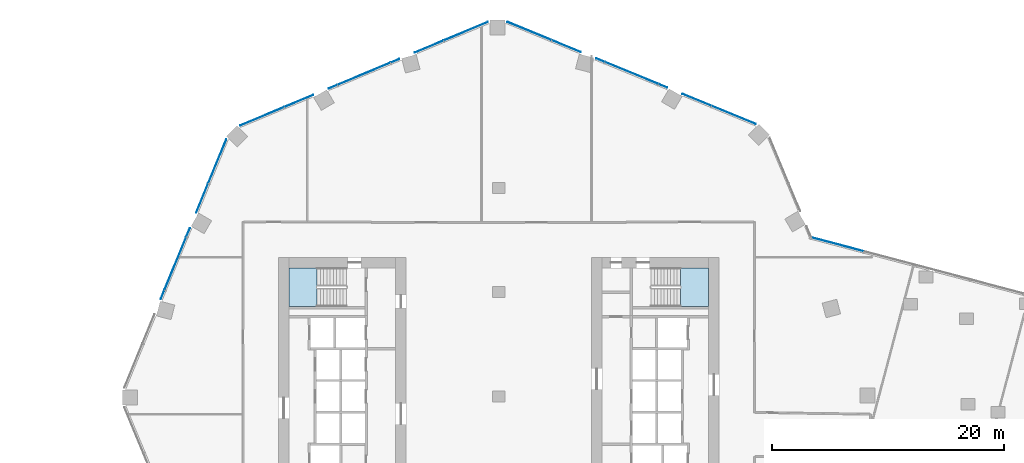
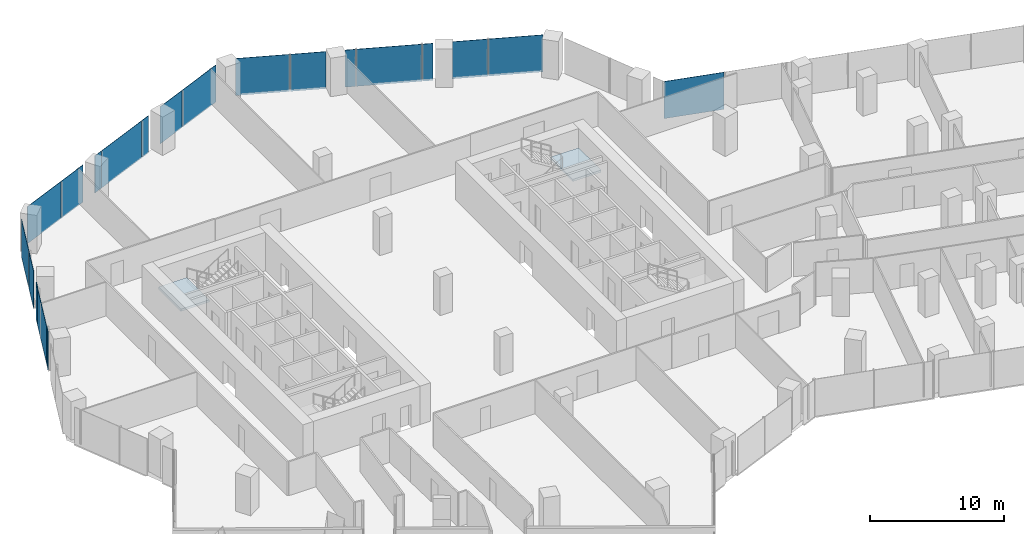
# One storey, part 24 of 34: 20 plates, 2 slabs, 6 elements without a shape of their own.
"""IFC4 building model written with IfcOpenShell, lengths in metres."""

from ifc_helpers import new_model, si_unit, direction, frame, origin, origin_2d, place, context, subcontext, project, spatial, polyline, rectangle, outline, extrude, material, layer, layer_set, type_object, element, aggregate, save


model = new_model("IFC4")

# Units and contexts
model_context = context("Model", 3, precision=1e-05, world=origin(), true_north=direction((0.0, 1.0)))
body_context = subcontext(model_context, "Body", "Model", "MODEL_VIEW")
ifc_project = project(units=[si_unit("LENGTHUNIT", "METRE"), si_unit("AREAUNIT", "SQUARE_METRE"), si_unit("VOLUMEUNIT", "CUBIC_METRE"), si_unit("PLANEANGLEUNIT", "RADIAN"), si_unit("MASSUNIT", "GRAM", prefix="KILO")], contexts=[model_context])

# Site, building, storey
site_placement = place(None, origin())
site = spatial("IfcSite", under=ifc_project, at=site_placement, CompositionType="ELEMENT")
building_placement = place(site_placement, origin())
building = spatial("IfcBuilding", under=site, at=building_placement, Name="Orlundy Tower", CompositionType="ELEMENT")
storey_placement = place(building_placement, frame((0.0, 0.0, 109.199951171875)))
storey = spatial("IfcBuildingStorey", under=building, at=storey_placement, Name="L27", CompositionType="ELEMENT", Elevation=109.199951171875)

# Curtain wall, plates
ifc_material_1 = material(Name="Aluminium bronze anodised", Category="aluminium")
curtain_wall_type = type_object("IfcCurtainWallType", Name="CW1 wall", PredefinedType="NOTDEFINED", material=ifc_material_1)
curtain_wall_1_placement = place(storey_placement, origin())
curtain_wall_1 = element("IfcCurtainWall", 1, at=curtain_wall_1_placement, inside=storey, type_object=curtain_wall_type, Name="CW1 run 014", PredefinedType="NOTDEFINED")
ifc_material_2 = material(Name="Tinted glass", Category="glass")
ifc_layer_1 = layer(ifc_material_2, 0.031982421875)
ifc_layer_set_1 = layer_set([ifc_layer_1], Name="CW1 glass panel 32")
plate_type = type_object("IfcPlateType", Name="CW1 glass panel 32", PredefinedType="CURTAIN_PANEL", material=ifc_layer_set_1)
plate_1_placement = place(storey_placement, frame((-29.0068359375, 8.77197265625, -0.27978515625), z_axis=(0.0, 0.0, 1.0), x_axis=(0.380004927003, 0.924984462277, 0.0)))
plate_1 = element("IfcPlate", 2, at=plate_1_placement, type_object=plate_type, Name="CW1 panel", PredefinedType="CURTAIN_PANEL", context=body_context, shape_type="SweptSolid", body=[
    extrude(rectangle(XDim=0.796630859375, YDim=0.031982421875, at=origin_2d()), origin(), (0.0, 0.0, 1.0), 3.3798828125),
])
plate_2_placement = place(storey_placement, frame((-27.901611328125, 11.46240234375, -0.27978515625), z_axis=(0.0, 0.0, 1.0), x_axis=(0.380004927003, 0.924984462277, 0.0)))
plate_2 = element("IfcPlate", 3, at=plate_2_placement, type_object=plate_type, Name="CW1 panel", PredefinedType="CURTAIN_PANEL", context=body_context, shape_type="SweptSolid", body=[
    extrude(rectangle(XDim=4.92041015625, YDim=0.031982421875, at=origin_2d()), origin(), (0.0, 0.0, 1.0), 3.3798828125),
])
plate_3_placement = place(storey_placement, frame((-26.79638671875, 14.15283203125, -0.27978515625), z_axis=(0.0, 0.0, 1.0), x_axis=(0.380004927003, 0.924984462277, 0.0)))
plate_3 = element("IfcPlate", 4, at=plate_3_placement, type_object=plate_type, Name="CW1 panel", PredefinedType="CURTAIN_PANEL", context=body_context, shape_type="SweptSolid", body=[
    extrude(rectangle(XDim=0.796875, YDim=0.031982421875, at=origin_2d()), origin(), (0.0, 0.0, 1.0), 3.3798828125),
])
plate_4_placement = place(storey_placement, frame((-25.589599609375, 17.090576171875, -0.27978515625), z_axis=(0.0, 0.0, 1.0), x_axis=(0.380004927003, 0.924984462277, 0.0)))
plate_4 = element("IfcPlate", 5, at=plate_4_placement, type_object=plate_type, Name="CW1 panel", PredefinedType="CURTAIN_PANEL", context=body_context, shape_type="SweptSolid", body=[
    extrude(rectangle(XDim=2.692138671875, YDim=0.031982421875, at=origin_2d()), origin(), (0.0, 0.0, 1.0), 3.3798828125),
])
plate_5_placement = place(storey_placement, frame((-24.28125, 20.275146484375, -0.27978515625), z_axis=(0.0, 0.0, 1.0), x_axis=(0.380004927003, 0.924984462277, 0.0)))
plate_5 = element("IfcPlate", 6, at=plate_5_placement, type_object=plate_type, Name="CW1 panel", PredefinedType="CURTAIN_PANEL", context=body_context, shape_type="SweptSolid", body=[
    extrude(rectangle(XDim=4.093505859375, YDim=0.031982421875, at=origin_2d()), origin(), (0.0, 0.0, 1.0), 3.3798828125),
])
aggregate(curtain_wall_1, [plate_1, plate_2, plate_3, plate_4, plate_5])

curtain_wall_2_placement = place(storey_placement, origin())
curtain_wall_2 = element("IfcCurtainWall", 7, at=curtain_wall_2_placement, inside=storey, type_object=curtain_wall_type, Name="CW1 run 015", PredefinedType="NOTDEFINED")
plate_6_placement = place(storey_placement, frame((-20.416015625, 24.16259765625, -0.27978515625), z_axis=(0.0, 0.0, 1.0), x_axis=(0.922759964351, 0.385375204433, 0.0)))
plate_6 = element("IfcPlate", 8, at=plate_6_placement, type_object=plate_type, Name="CW1 panel", PredefinedType="CURTAIN_PANEL", context=body_context, shape_type="SweptSolid", body=[
    extrude(rectangle(XDim=4.093505859375, YDim=0.031982421875, at=origin_2d()), origin(), (0.0, 0.0, 1.0), 3.3798828125),
])
plate_7_placement = place(storey_placement, frame((-17.24072265625, 25.48876953125, -0.27978515625), z_axis=(0.0, 0.0, 1.0), x_axis=(0.922759964351, 0.385375204433, 0.0)))
plate_7 = element("IfcPlate", 9, at=plate_7_placement, type_object=plate_type, Name="CW1 panel", PredefinedType="CURTAIN_PANEL", context=body_context, shape_type="SweptSolid", body=[
    extrude(rectangle(XDim=2.688720703125, YDim=0.031982421875, at=origin_2d()), origin(), (0.0, 0.0, 1.0), 3.3798828125),
])
plate_8_placement = place(storey_placement, frame((-14.308349609375, 26.71337890625, -0.27978515625), z_axis=(0.0, 0.0, 1.0), x_axis=(0.922759964351, 0.385375204433, 0.0)))
plate_8 = element("IfcPlate", 10, at=plate_8_placement, type_object=plate_type, Name="CW1 panel", PredefinedType="CURTAIN_PANEL", context=body_context, shape_type="SweptSolid", body=[
    extrude(rectangle(XDim=0.796630859375, YDim=0.031982421875, at=origin_2d()), origin(), (0.0, 0.0, 1.0), 3.3798828125),
])
plate_9_placement = place(storey_placement, frame((-11.624267578125, 27.834228515625, -0.27978515625), z_axis=(0.0, 0.0, 1.0), x_axis=(0.922759964351, 0.385375204433, 0.0)))
plate_9 = element("IfcPlate", 11, at=plate_9_placement, type_object=plate_type, Name="CW1 panel", PredefinedType="CURTAIN_PANEL", context=body_context, shape_type="SweptSolid", body=[
    extrude(rectangle(XDim=4.920654296875, YDim=0.031982421875, at=origin_2d()), origin(), (0.0, 0.0, 1.0), 3.3798828125),
])
plate_10_placement = place(storey_placement, frame((-8.940185546875, 28.955322265625, -0.27978515625), z_axis=(0.0, 0.0, 1.0), x_axis=(0.922759964351, 0.385375204433, 0.0)))
plate_10 = element("IfcPlate", 12, at=plate_10_placement, type_object=plate_type, Name="CW1 panel", PredefinedType="CURTAIN_PANEL", context=body_context, shape_type="SweptSolid", body=[
    extrude(rectangle(XDim=0.79638671875, YDim=0.031982421875, at=origin_2d()), origin(), (0.0, 0.0, 1.0), 3.3798828125),
])
plate_11_placement = place(storey_placement, frame((-6.007568359375, 30.18017578125, -0.27978515625), z_axis=(0.0, 0.0, 1.0), x_axis=(0.922759964351, 0.385375204433, 0.0)))
plate_11 = element("IfcPlate", 13, at=plate_11_placement, type_object=plate_type, Name="CW1 panel", PredefinedType="CURTAIN_PANEL", context=body_context, shape_type="SweptSolid", body=[
    extrude(rectangle(XDim=2.6884765625, YDim=0.031982421875, at=origin_2d()), origin(), (0.0, 0.0, 1.0), 3.3798828125),
])
plate_12_placement = place(storey_placement, frame((-2.832763671875, 31.505859375, -0.27978515625), z_axis=(0.0, 0.0, 1.0), x_axis=(0.922759964351, 0.385375204433, 0.0)))
plate_12 = element("IfcPlate", 14, at=plate_12_placement, type_object=plate_type, Name="CW1 panel", PredefinedType="CURTAIN_PANEL", context=body_context, shape_type="SweptSolid", body=[
    extrude(rectangle(XDim=4.0927734375, YDim=0.031982421875, at=origin_2d()), origin(), (0.0, 0.0, 1.0), 3.3798828125),
])
aggregate(curtain_wall_2, [plate_6, plate_7, plate_8, plate_9, plate_10, plate_11, plate_12])

curtain_wall_3_placement = place(storey_placement, origin())
curtain_wall_3 = element("IfcCurtainWall", 15, at=curtain_wall_3_placement, inside=storey, type_object=curtain_wall_type, Name="CW1 run 016", PredefinedType="NOTDEFINED")
plate_13_placement = place(storey_placement, frame((2.649169921875, 31.522216796875, -0.27978515625), z_axis=(0.0, 0.0, 1.0), x_axis=(0.924984462277, -0.380004927003, 0.0)))
plate_13 = element("IfcPlate", 16, at=plate_13_placement, type_object=plate_type, Name="CW1 panel", PredefinedType="CURTAIN_PANEL", context=body_context, shape_type="SweptSolid", body=[
    extrude(rectangle(XDim=4.09423828125, YDim=0.031982421875, at=origin_2d()), origin(), (0.0, 0.0, 1.0), 3.3798828125),
])
plate_14_placement = place(storey_placement, frame((5.835205078125, 30.21337890625, -0.27978515625), z_axis=(0.0, 0.0, 1.0), x_axis=(0.924984462277, -0.380004927003, 0.0)))
plate_14 = element("IfcPlate", 17, at=plate_14_placement, type_object=plate_type, Name="CW1 panel", PredefinedType="CURTAIN_PANEL", context=body_context, shape_type="SweptSolid", body=[
    extrude(rectangle(XDim=2.694580078125, YDim=0.031982421875, at=origin_2d()), origin(), (0.0, 0.0, 1.0), 3.3798828125),
])
plate_15_placement = place(storey_placement, frame((8.77197265625, 29.0068359375, -0.27978515625), z_axis=(0.0, 0.0, 1.0), x_axis=(0.924984462277, -0.380004927003, 0.0)))
plate_15 = element("IfcPlate", 18, at=plate_15_placement, type_object=plate_type, Name="CW1 panel", PredefinedType="CURTAIN_PANEL", context=body_context, shape_type="SweptSolid", body=[
    extrude(rectangle(XDim=0.796630859375, YDim=0.031982421875, at=origin_2d()), origin(), (0.0, 0.0, 1.0), 3.3798828125),
])
plate_16_placement = place(storey_placement, frame((11.46240234375, 27.901611328125, -0.27978515625), z_axis=(0.0, 0.0, 1.0), x_axis=(0.924984462277, -0.380004927003, 0.0)))
plate_16 = element("IfcPlate", 19, at=plate_16_placement, type_object=plate_type, Name="CW1 panel", PredefinedType="CURTAIN_PANEL", context=body_context, shape_type="SweptSolid", body=[
    extrude(rectangle(XDim=4.92041015625, YDim=0.031982421875, at=origin_2d()), origin(), (0.0, 0.0, 1.0), 3.3798828125),
])
plate_17_placement = place(storey_placement, frame((14.15283203125, 26.79638671875, -0.27978515625), z_axis=(0.0, 0.0, 1.0), x_axis=(0.924984462277, -0.380004927003, 0.0)))
plate_17 = element("IfcPlate", 20, at=plate_17_placement, type_object=plate_type, Name="CW1 panel", PredefinedType="CURTAIN_PANEL", context=body_context, shape_type="SweptSolid", body=[
    extrude(rectangle(XDim=0.796875, YDim=0.031982421875, at=origin_2d()), origin(), (0.0, 0.0, 1.0), 3.3798828125),
])
plate_18_placement = place(storey_placement, frame((17.090576171875, 25.589599609375, -0.27978515625), z_axis=(0.0, 0.0, 1.0), x_axis=(0.924984462277, -0.380004927003, 0.0)))
plate_18 = element("IfcPlate", 21, at=plate_18_placement, type_object=plate_type, Name="CW1 panel", PredefinedType="CURTAIN_PANEL", context=body_context, shape_type="SweptSolid", body=[
    extrude(rectangle(XDim=2.692138671875, YDim=0.031982421875, at=origin_2d()), origin(), (0.0, 0.0, 1.0), 3.3798828125),
])
plate_19_placement = place(storey_placement, frame((20.275146484375, 24.28125, -0.27978515625), z_axis=(0.0, 0.0, 1.0), x_axis=(0.924984462277, -0.380004927003, 0.0)))
plate_19 = element("IfcPlate", 22, at=plate_19_placement, type_object=plate_type, Name="CW1 panel", PredefinedType="CURTAIN_PANEL", context=body_context, shape_type="SweptSolid", body=[
    extrude(rectangle(XDim=4.093505859375, YDim=0.031982421875, at=origin_2d()), origin(), (0.0, 0.0, 1.0), 3.3798828125),
])
aggregate(curtain_wall_3, [plate_13, plate_14, plate_15, plate_16, plate_17, plate_18, plate_19])

# Curtain wall, plate
curtain_wall_4_placement = place(storey_placement, origin())
curtain_wall_4 = element("IfcCurtainWall", 23, at=curtain_wall_4_placement, inside=storey, type_object=curtain_wall_type, Name="CW1 run 018", PredefinedType="NOTDEFINED")
plate_20_placement = place(storey_placement, frame((29.20654296875, 13.12451171875, -0.27978515625), z_axis=(0.0, 0.0, 1.0), x_axis=(0.966671560598, -0.256019713949, 0.0)))
plate_20 = element("IfcPlate", 24, at=plate_20_placement, type_object=plate_type, Name="CW1 panel", PredefinedType="CURTAIN_PANEL", context=body_context, shape_type="SweptSolid", body=[
    extrude(rectangle(XDim=4.649658203125, YDim=0.031982421875, at=origin_2d()), origin(), (0.0, 0.0, 1.0), 3.3798828125),
])
aggregate(curtain_wall_4, [plate_20])

# Stair, slab
ifc_material_3 = material(Name="Concrete C50/60", Category="concrete")
stair_type = type_object("IfcStairType", Name="Exit Stair 20 risers", PredefinedType="HALF_TURN_STAIR", material=ifc_material_3)
stair_1_placement = place(storey_placement, origin())
stair_1 = element("IfcStair", 25, at=stair_1_placement, inside=storey, type_object=stair_type, Name="L27 Exit Stair ST-W1", PredefinedType="HALF_TURN_STAIR")
ifc_material_4 = material(Name="Concrete C50/60", Category="concrete")
ifc_layer_2 = layer(ifc_material_4, 0.199951171875)
ifc_layer_set_2 = layer_set([ifc_layer_2], Name="Exit Stair Landing")
slab_type = type_object("IfcSlabType", Name="Exit Stair Landing", PredefinedType="LANDING", material=ifc_layer_set_2)
slab_1_placement = place(storey_placement, frame((0.0, 0.0, 1.550048828125)))
slab_1 = element("IfcSlab", 26, at=slab_1_placement, type_object=slab_type, Name="ST-W1 landing 1", PredefinedType="LANDING", context=body_context, shape_type="SweptSolid", body=[
    extrude(outline(polyline([(-15.659912109375, 11.10009765625), (-18.10009765625, 11.10009765625), (-18.10009765625, 7.75), (-15.659912109375, 7.75), (-15.659912109375, 11.10009765625)])), origin(), (0.0, 0.0, 1.0), 0.199951171875),
])
aggregate(stair_1, [slab_1])

stair_2_placement = place(storey_placement, origin())
stair_2 = element("IfcStair", 27, at=stair_2_placement, inside=storey, type_object=stair_type, Name="L27 Exit Stair ST-E2", PredefinedType="HALF_TURN_STAIR")
slab_2_placement = place(storey_placement, frame((0.0, 0.0, 1.550048828125)))
slab_2 = element("IfcSlab", 28, at=slab_2_placement, type_object=slab_type, Name="ST-E2 landing 1", PredefinedType="LANDING", context=body_context, shape_type="SweptSolid", body=[
    extrude(outline(polyline([(15.659912109375, 7.75), (18.10009765625, 7.75), (18.10009765625, 11.10009765625), (15.659912109375, 11.10009765625), (15.659912109375, 7.75)])), origin(), (0.0, 0.0, 1.0), 0.199951171875),
])
aggregate(stair_2, [slab_2])

save(model, "model.ifc")
